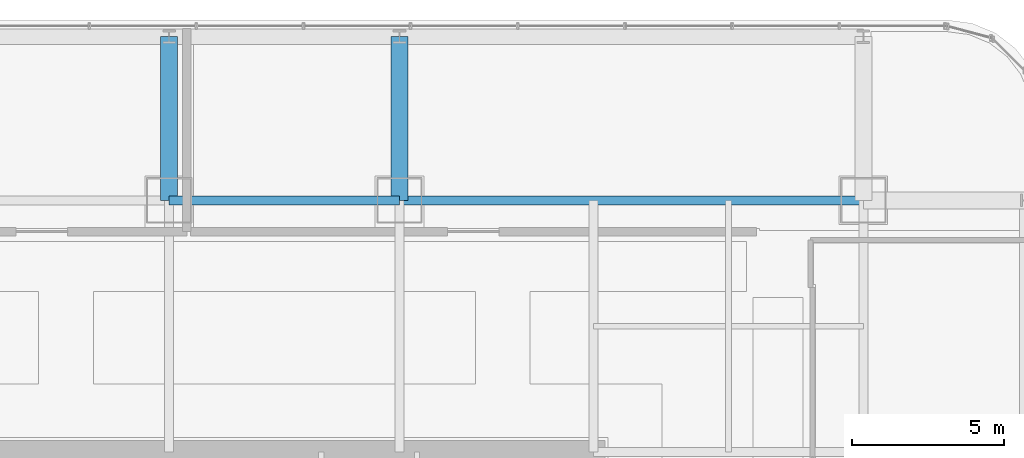
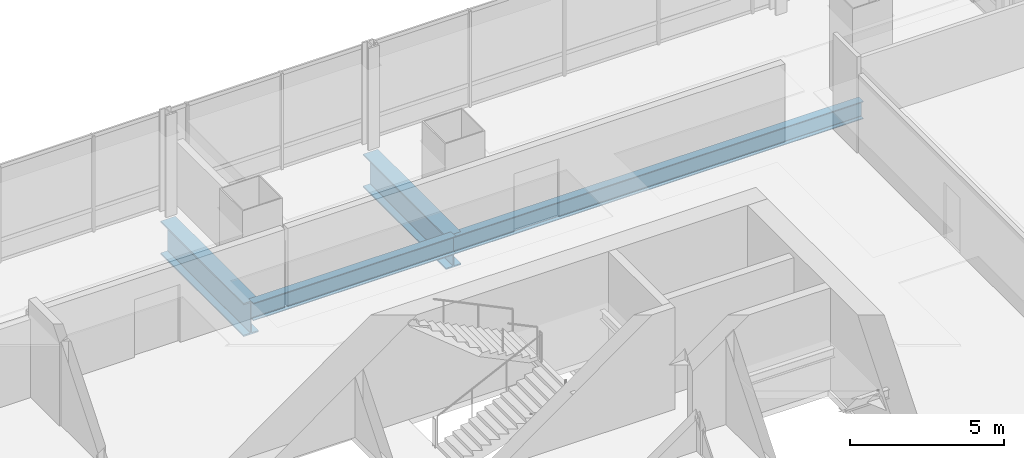
# One storey, part 20 of 34: 4 beams.
"""IFC4 building model written with IfcOpenShell, lengths in metres."""

from ifc_helpers import new_model, si_unit, direction, frame, origin, origin_2d, place, context, subcontext, project, spatial, i_section, extrude, material, material_profile, profile_set, type_object, element, save


model = new_model("IFC4")

# Units and contexts
model_context = context("Model", 3, precision=1e-05, world=origin(), true_north=direction((0.0, 1.0)))
body_context = subcontext(model_context, "Body", "Model", "MODEL_VIEW")
ifc_project = project(units=[si_unit("LENGTHUNIT", "METRE"), si_unit("AREAUNIT", "SQUARE_METRE"), si_unit("VOLUMEUNIT", "CUBIC_METRE"), si_unit("PLANEANGLEUNIT", "RADIAN"), si_unit("MASSUNIT", "GRAM", prefix="KILO")], contexts=[model_context])

# Site, building, storey
site_placement = place(None, origin())
site = spatial("IfcSite", under=ifc_project, at=site_placement, CompositionType="ELEMENT")
building_placement = place(site_placement, origin())
building = spatial("IfcBuilding", under=site, at=building_placement, Name="Punatoya Terracotta Tower", CompositionType="ELEMENT")
storey_placement = place(building_placement, frame((0.0, 0.0, 101.10009765625)))
storey = spatial("IfcBuildingStorey", under=building, at=storey_placement, Name="L23", CompositionType="ELEMENT", Elevation=101.10009765625)

# Beams
ifc_material_1 = material(Name="Steel S355", Category="steel")
ifc_material_profile_1 = material_profile(ifc_material_1, i_section(OverallWidth=0.300048828125, OverallDepth=0.699951171875, WebThickness=0.01708984375, FlangeThickness=0.031982421875, FilletRadius=0.01806640625, at=origin_2d()))
ifc_profile_set_1 = profile_set([ifc_material_profile_1], Name="Steel S355")
beam_type_1 = type_object("IfcBeamType", Name="BM-PRI-700", PredefinedType="BEAM", material=ifc_profile_set_1)
beam_1_placement = place(storey_placement, frame((-3.800048828125, 17.5, -0.590087890625), z_axis=(1.0, 0.0, 0.0), x_axis=(0.0, 1.0, 0.0)))
element("IfcBeam", 1, at=beam_1_placement, inside=storey, type_object=beam_type_1, Name="BM-L23-RG-N2", PredefinedType="BEAM", context=body_context, shape_type="SweptSolid", body=[
    extrude(i_section(OverallWidth=0.300048828125, OverallDepth=0.699951171875, WebThickness=0.01708984375, FlangeThickness=0.031982421875, FilletRadius=0.01806640625, at=origin_2d()), origin(), (0.0, 0.0, 1.0), 7.60009765625),
])
beam_2_placement = place(storey_placement, frame((3.800048828125, 17.5, -0.590087890625), z_axis=(1.0, 0.0, 0.0), x_axis=(0.0, 1.0, 0.0)))
element("IfcBeam", 2, at=beam_2_placement, inside=storey, type_object=beam_type_1, Name="BM-L23-RG-N3", PredefinedType="BEAM", context=body_context, shape_type="SweptSolid", body=[
    extrude(i_section(OverallWidth=0.300048828125, OverallDepth=0.699951171875, WebThickness=0.01708984375, FlangeThickness=0.031982421875, FilletRadius=0.01806640625, at=origin_2d()), origin(), (0.0, 0.0, 1.0), 15.300048828125),
])
ifc_material_2 = material(Name="Steel S460", Category="steel")
ifc_material_profile_2 = material_profile(ifc_material_2, i_section(OverallWidth=0.56005859375, OverallDepth=1.320068359375, WebThickness=0.035888671875, FlangeThickness=0.054931640625, FilletRadius=0.01806640625, at=origin_2d()))
ifc_profile_set_2 = profile_set([ifc_material_profile_2], Name="Steel S460")
beam_type_2 = type_object("IfcBeamType", Name="BM-TG-BLK", PredefinedType="BEAM", material=ifc_profile_set_2)
for number, where, z_axis, x_axis, name in (
    (3, (-3.800048828125, 17.5, -0.900146484375), (0.0, 1.0, 0.0), (-1.0, 0.0, 0.0), "BM-L23-CANT-N2"),
    (4, (3.800048828125, 17.5, -0.900146484375), (0.0, 1.0, 0.0), (-1.0, 0.0, 0.0), "BM-L23-CANT-N3"),
):
    element("IfcBeam", number, at=place(storey_placement, frame(where, z_axis=z_axis, x_axis=x_axis)), inside=storey, type_object=beam_type_2, Name=name, PredefinedType="BEAM", context=body_context, shape_type="SweptSolid", body=[
        extrude(i_section(OverallWidth=0.56005859375, OverallDepth=1.320068359375, WebThickness=0.035888671875, FlangeThickness=0.054931640625, FilletRadius=0.01806640625, at=origin_2d()), origin(), (0.0, 0.0, 1.0), 5.39990234375),
    ])

save(model, "model.ifc")
